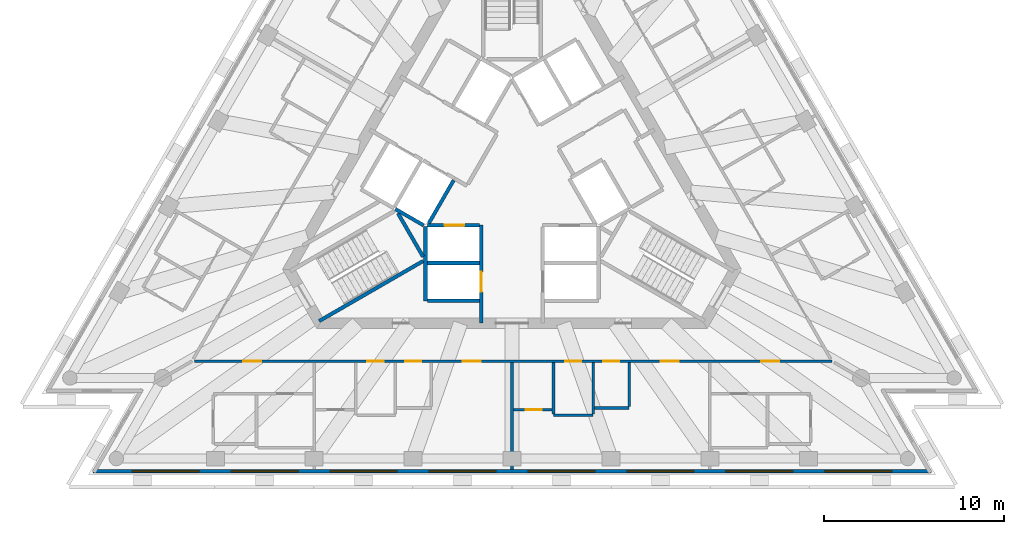
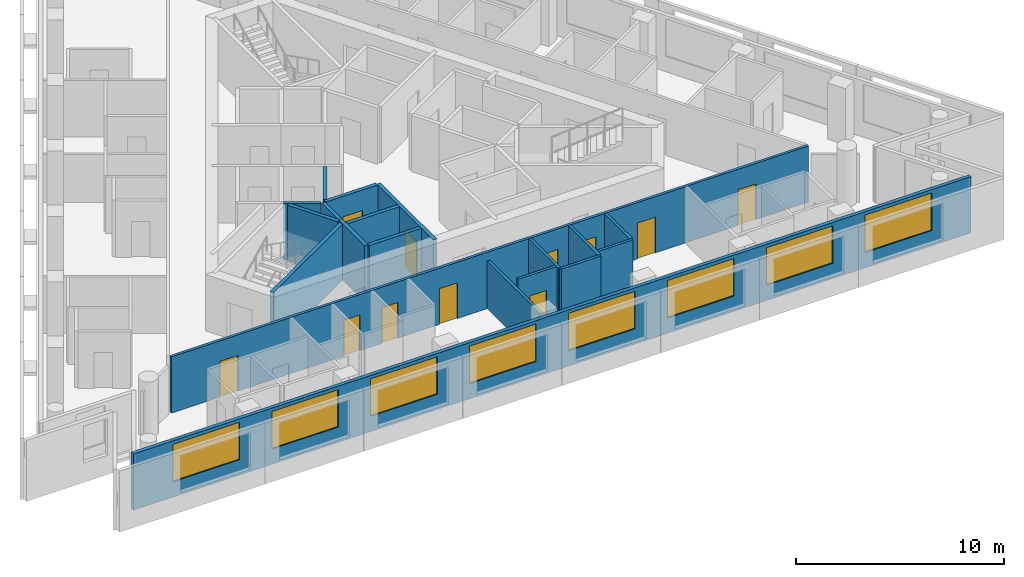
# One storey, part 3 of 9: 18 walls, 11 doors, 8 windows, 19 openings.
"""IFC4 building model written with IfcOpenShell, lengths in metres."""

from ifc_helpers import new_model, si_unit, direction, frame, frame_2d, origin, place, context, subcontext, project, spatial, rectangle, extrude, material, layer, layer_set, layer_usage, type_object, element, fill, save


model = new_model("IFC4")

# Units and contexts
model_context = context("Model", 3, precision=1e-05, world=origin(), true_north=direction((0.0, 1.0)))
body_context = subcontext(model_context, "Body", "Model", "MODEL_VIEW")
ifc_project = project(units=[si_unit("LENGTHUNIT", "METRE"), si_unit("AREAUNIT", "SQUARE_METRE"), si_unit("VOLUMEUNIT", "CUBIC_METRE"), si_unit("PLANEANGLEUNIT", "RADIAN"), si_unit("MASSUNIT", "GRAM", prefix="KILO")], contexts=[model_context])

# Site, building, storey
site_placement = place(None, origin())
site = spatial("IfcSite", under=ifc_project, at=site_placement, CompositionType="ELEMENT")
building_placement = place(site_placement, origin())
building = spatial("IfcBuilding", under=site, at=building_placement, Name="Triada Interchange Tower", CompositionType="ELEMENT")
storey_placement = place(building_placement, frame((0.0, 0.0, 282.699951171875)))
storey = spatial("IfcBuildingStorey", under=building, at=storey_placement, Name="L66", CompositionType="ELEMENT", Elevation=282.699951171875)

# Walls
ifc_material_1 = material(Name="Concrete C30/37", Category="concrete")
ifc_layer_1 = layer(ifc_material_1, 0.199951171875)
ifc_layer_set_1 = layer_set([ifc_layer_1], Name="CORE WALL 200 EI 120")
wall_type_1 = type_object("IfcWallType", Name="CORE WALL 200 EI 120", PredefinedType="SOLIDWALL", material=ifc_layer_set_1)
wall_1_placement = place(storey_placement, frame((-4.699951171875, -4.800048828125, 0.0), z_axis=(0.0, 0.0, 1.0), x_axis=(1.0, 0.0, 0.0)))
element("IfcWall", 1, at=wall_1_placement, inside=storey, type_object=wall_type_1, Name="Wall L65 72", PredefinedType="SOLIDWALL", context=body_context, shape_type="SweptSolid", body=[
    extrude(rectangle(XDim=2.89990234375, YDim=0.199951171875, at=frame_2d((1.449951171875, 0.0))), origin(), (0.0, 0.0, 1.0), 3.300048828125),
])
wall_2_placement = place(storey_placement, frame((-4.800048828125, -6.89990234375, 0.0), z_axis=(0.0, 0.0, 1.0), x_axis=(0.0, 1.0, 0.0)))
element("IfcWall", 2, at=wall_2_placement, inside=storey, type_object=wall_type_1, Name="Wall L65 74", PredefinedType="SOLIDWALL", context=body_context, shape_type="SweptSolid", body=[
    extrude(rectangle(XDim=4.130859375, YDim=0.199951171875, at=frame_2d((2.0654296875, 0.0))), origin(), (0.0, 0.0, 1.0), 3.300048828125),
])
wall_3_placement = place(storey_placement, frame((-4.699951171875, -6.89990234375, 0.0), z_axis=(0.0, 0.0, 1.0), x_axis=(1.0, 0.0, 0.0)))
element("IfcWall", 3, at=wall_3_placement, inside=storey, type_object=wall_type_1, Name="Wall L65 75", PredefinedType="SOLIDWALL", context=body_context, shape_type="SweptSolid", body=[
    extrude(rectangle(XDim=2.89990234375, YDim=0.199951171875, at=frame_2d((1.449951171875, 0.0))), origin(), (0.0, 0.0, 1.0), 3.300048828125),
])

# Wall, opening, door
wall_4_placement = place(storey_placement, frame((-1.699951171875, -8.1298828125, 0.0), z_axis=(0.0, 0.0, 1.0), x_axis=(0.0, 1.0, 0.0)))
wall_4 = element("IfcWall", 4, at=wall_4_placement, inside=storey, type_object=wall_type_1, Name="Wall L65 77", PredefinedType="SOLIDWALL", context=body_context, shape_type="SweptSolid", body=[
    extrude(rectangle(XDim=5.427001953125, YDim=0.199951171875, at=frame_2d((2.71337890625, 0.0))), origin(), (0.0, 0.0, 1.0), 3.300048828125),
])
opening_1_placement = place(wall_4_placement, frame((1.72998046875, 0.0, 0.0)))
opening_1 = element("IfcOpeningElement", 5, at=opening_1_placement, cuts=wall_4, Name="Opening LD-HR4", PredefinedType="OPENING", context=body_context, shape_type="SweptSolid", body=[
    extrude(rectangle(XDim=1.10009765625, YDim=2.10009765625, at=frame_2d((0.550048828125, 1.050048828125))), frame((0.0, 0.10986328125, 0.0), z_axis=(0.0, -1.0, 0.0), x_axis=(1.0, 0.0, 0.0)), (0.0, 0.0, 1.0), 0.219970703125),
])
ifc_material_2 = material(Name="Steel S235 door leaf", Category="steel")
door_type_1 = type_object("IfcDoorType", Name="LIFT LANDING DOOR 1100 EI 120", OperationType="SLIDING_TO_LEFT", PredefinedType="DOOR", material=ifc_material_2)
door_1_placement = place(opening_1_placement, origin())
door_1 = element("IfcDoor", 6, at=door_1_placement, inside=storey, type_object=door_type_1, Name="HR4 landing door L66", OperationType="SLIDING_TO_LEFT", OverallHeight=2.10009765625, OverallWidth=1.10009765625, PredefinedType="DOOR", context=body_context, shape_type="SweptSolid", body=[
    extrude(rectangle(XDim=1.10009765625, YDim=2.10009765625, at=frame_2d((0.550048828125, 1.050048828125))), frame((0.0, 0.02490234375, 0.0), z_axis=(0.0, -1.0, 0.0), x_axis=(1.0, 0.0, 0.0)), (0.0, 0.0, 1.0), 0.050048828125),
])
fill(opening_1, door_1)

wall_5_placement = place(storey_placement, frame((-4.676025390625, -2.699951171875, 0.0), z_axis=(0.0, 0.0, 1.0), x_axis=(1.0, 0.0, 0.0)))
wall_5 = element("IfcWall", 7, at=wall_5_placement, inside=storey, type_object=wall_type_1, Name="Wall L65 78", PredefinedType="SOLIDWALL", context=body_context, shape_type="SweptSolid", body=[
    extrude(rectangle(XDim=2.873046875, YDim=0.199951171875, at=frame_2d((1.4365234375, 0.0))), origin(), (0.0, 0.0, 1.0), 3.300048828125),
])
opening_2_placement = place(wall_5_placement, frame((0.93701171875, 0.0, 0.0)))
opening_2 = element("IfcOpeningElement", 8, at=opening_2_placement, cuts=wall_5, Name="Opening LD-HR3", PredefinedType="OPENING", context=body_context, shape_type="SweptSolid", body=[
    extrude(rectangle(XDim=1.10009765625, YDim=2.10009765625, at=frame_2d((0.550048828125, 1.050048828125))), frame((0.0, 0.10986328125, 0.0), z_axis=(0.0, -1.0, 0.0), x_axis=(1.0, 0.0, 0.0)), (0.0, 0.0, 1.0), 0.219970703125),
])
door_2_placement = place(opening_2_placement, origin())
door_2 = element("IfcDoor", 9, at=door_2_placement, inside=storey, type_object=door_type_1, Name="HR3 landing door L66", OperationType="SLIDING_TO_LEFT", OverallHeight=2.10009765625, OverallWidth=1.10009765625, PredefinedType="DOOR", context=body_context, shape_type="SweptSolid", body=[
    extrude(rectangle(XDim=1.10009765625, YDim=2.10009765625, at=frame_2d((0.550048828125, 1.050048828125))), frame((0.0, 0.02490234375, 0.0), z_axis=(0.0, -1.0, 0.0), x_axis=(1.0, 0.0, 0.0)), (0.0, 0.0, 1.0), 0.050048828125),
])
fill(opening_2, door_2)

# Walls
ifc_layer_2 = layer(ifc_material_1, 0.199951171875)
ifc_layer_set_2 = layer_set([ifc_layer_2], Name="CORE WALL 200 EI 180")
wall_type_2 = type_object("IfcWallType", Name="CORE WALL 200 EI 180", PredefinedType="SOLIDWALL", material=ifc_layer_set_2)
wall_6_placement = place(storey_placement, frame((-6.469970703125, -1.806884765625, 0.0), z_axis=(0.0, 0.0, 1.0), x_axis=(0.865883195159, -0.500246231712, 0.0)))
element("IfcWall", 10, at=wall_6_placement, inside=storey, type_object=wall_type_2, Name="Shaft wall FF1 L65 103", PredefinedType="SOLIDWALL", context=body_context, shape_type="SweptSolid", body=[
    extrude(rectangle(XDim=1.8154296875, YDim=0.199951171875, at=frame_2d((0.90771484375, 0.0))), origin(), (0.0, 0.0, 1.0), 3.300048828125),
])
wall_7_placement = place(storey_placement, frame((-4.618896484375, -2.60009765625, 0.0), z_axis=(0.0, 0.0, 1.0), x_axis=(0.50009492287, 0.865970593103, 0.0)))
element("IfcWall", 11, at=wall_7_placement, inside=storey, type_object=wall_type_2, Name="Shaft wall FF1 L65 105", PredefinedType="SOLIDWALL", context=body_context, shape_type="SweptSolid", body=[
    extrude(rectangle(XDim=2.76123046875, YDim=0.199951171875, at=frame_2d((1.380615234375, 0.0))), origin(), (0.0, 0.0, 1.0), 3.300048828125),
])
ifc_layer_3 = layer(ifc_material_1, 0.199951171875)
ifc_layer_set_3 = layer_set([ifc_layer_3], Name="CORE WALL 200 REI 240")
wall_type_3 = type_object("IfcWallType", Name="CORE WALL 200 REI 240", PredefinedType="SOLIDWALL", material=ifc_layer_set_3)
wall_8_placement = place(storey_placement, frame((-6.3291015625, -2.0380859375, 0.0), z_axis=(0.0, 0.0, 1.0), x_axis=(0.500200581029, -0.865909567298, 0.0)))
element("IfcWall", 12, at=wall_8_placement, inside=storey, type_object=wall_type_3, Name="Wall L65 116", PredefinedType="SOLIDWALL", context=body_context, shape_type="SweptSolid", body=[
    extrude(rectangle(XDim=2.799072265625, YDim=0.199951171875, at=frame_2d((1.3994140625, 0.0))), origin(), (0.0, 0.0, 1.0), 3.300048828125),
])
wall_9_placement = place(storey_placement, frame((-10.700927734375, -8.02587890625, 0.0), z_axis=(0.0, 0.0, 1.0), x_axis=(0.866005022404, 0.500035299925, 0.0)))
element("IfcWall", 13, at=wall_9_placement, inside=storey, type_object=wall_type_3, Name="Wall L65 117", PredefinedType="SOLIDWALL", context=body_context, shape_type="SweptSolid", body=[
    extrude(rectangle(XDim=6.6650390625, YDim=0.199951171875, at=frame_2d((3.33251953125, 0.0))), origin(), (0.0, 0.0, 1.0), 3.300048828125),
])

# Wall, openings, windows
ifc_material_3 = material(Name="Cement board")
ifc_layer_4 = layer(ifc_material_3, 0.02001953125, Name="Cement board cladding")
ifc_material_4 = material(Name="Sheathing board")
ifc_layer_5 = layer(ifc_material_4, 0.014892578125, Name="Sheathing board")
ifc_material_5 = material(Name="Mineral wool")
ifc_layer_6 = layer(ifc_material_5, 0.14990234375, Name="Mineral wool between steel studs")
ifc_material_6 = material(Name="Gypsum board")
ifc_layer_7 = layer(ifc_material_6, 0.014892578125, Name="Plasterboard lining")
ifc_layer_set_4 = layer_set([ifc_layer_4, ifc_layer_5, ifc_layer_6, ifc_layer_7], Name="External wall 200")
ifc_layer_usage = layer_usage(ifc_layer_set_4, "AXIS2", "POSITIVE", -0.10009765625)
wall_type_4 = type_object("IfcWallType", Name="External wall 200", PredefinedType="ELEMENTEDWALL", material=ifc_layer_set_4)
wall_10_placement = place(storey_placement, frame((-23.2548828125, -16.35400390625, 0.0), z_axis=(0.0, 0.0, 1.0), x_axis=(1.0, 0.0, 0.0)))
wall_10 = element("IfcWall", 14, at=wall_10_placement, inside=storey, type_object=wall_type_4, material=ifc_layer_usage, Name="External wall L66 S", PredefinedType="ELEMENTEDWALL", context=body_context, shape_type="SweptSolid", body=[
    extrude(rectangle(XDim=46.489990234375, YDim=0.199951171875, at=frame_2d((23.2451171875, 0.0))), origin(), (0.0, 0.0, 1.0), 3.300048828125),
])
opening_3_placement = place(wall_10_placement, frame((2.197021484375, 0.0, 0.89990234375)))
opening_3 = element("IfcOpeningElement", 15, at=opening_3_placement, cuts=wall_10, Name="Opening WD11", PredefinedType="OPENING", context=body_context, shape_type="SweptSolid", body=[
    extrude(rectangle(XDim=3.699951171875, YDim=2.199951171875, at=frame_2d((1.85009765625, 1.10009765625))), frame((0.0, 0.10986328125, 0.0), z_axis=(0.0, -1.0, 0.0), x_axis=(1.0, 0.0, 0.0)), (0.0, 0.0, 1.0), 0.219970703125),
])
opening_4_placement = place(wall_10_placement, frame((7.68505859375, 0.0, 0.89990234375)))
opening_4 = element("IfcOpeningElement", 16, at=opening_4_placement, cuts=wall_10, Name="Opening WD12", PredefinedType="OPENING", context=body_context, shape_type="SweptSolid", body=[
    extrude(rectangle(XDim=3.699951171875, YDim=2.199951171875, at=frame_2d((1.85009765625, 1.10009765625))), frame((0.0, 0.10986328125, 0.0), z_axis=(0.0, -1.0, 0.0), x_axis=(1.0, 0.0, 0.0)), (0.0, 0.0, 1.0), 0.219970703125),
])
opening_5_placement = place(wall_10_placement, frame((13.173095703125, 0.0, 0.89990234375)))
opening_5 = element("IfcOpeningElement", 17, at=opening_5_placement, cuts=wall_10, Name="Opening WD13", PredefinedType="OPENING", context=body_context, shape_type="SweptSolid", body=[
    extrude(rectangle(XDim=3.699951171875, YDim=2.199951171875, at=frame_2d((1.85009765625, 1.10009765625))), frame((0.0, 0.10986328125, 0.0), z_axis=(0.0, -1.0, 0.0), x_axis=(1.0, 0.0, 0.0)), (0.0, 0.0, 1.0), 0.219970703125),
])
opening_6_placement = place(wall_10_placement, frame((18.660888671875, 0.0, 0.89990234375)))
opening_6 = element("IfcOpeningElement", 18, at=opening_6_placement, cuts=wall_10, Name="Opening WD14", PredefinedType="OPENING", context=body_context, shape_type="SweptSolid", body=[
    extrude(rectangle(XDim=3.699951171875, YDim=2.199951171875, at=frame_2d((1.85009765625, 1.10009765625))), frame((0.0, 0.10986328125, 0.0), z_axis=(0.0, -1.0, 0.0), x_axis=(1.0, 0.0, 0.0)), (0.0, 0.0, 1.0), 0.219970703125),
])
opening_7_placement = place(wall_10_placement, frame((24.14892578125, 0.0, 0.89990234375)))
opening_7 = element("IfcOpeningElement", 19, at=opening_7_placement, cuts=wall_10, Name="Opening WD15", PredefinedType="OPENING", context=body_context, shape_type="SweptSolid", body=[
    extrude(rectangle(XDim=3.699951171875, YDim=2.199951171875, at=frame_2d((1.85009765625, 1.10009765625))), frame((0.0, 0.10986328125, 0.0), z_axis=(0.0, -1.0, 0.0), x_axis=(1.0, 0.0, 0.0)), (0.0, 0.0, 1.0), 0.219970703125),
])
opening_8_placement = place(wall_10_placement, frame((29.636962890625, 0.0, 0.89990234375)))
opening_8 = element("IfcOpeningElement", 20, at=opening_8_placement, cuts=wall_10, Name="Opening WD16", PredefinedType="OPENING", context=body_context, shape_type="SweptSolid", body=[
    extrude(rectangle(XDim=3.699951171875, YDim=2.199951171875, at=frame_2d((1.85009765625, 1.10009765625))), frame((0.0, 0.10986328125, 0.0), z_axis=(0.0, -1.0, 0.0), x_axis=(1.0, 0.0, 0.0)), (0.0, 0.0, 1.0), 0.219970703125),
])
opening_9_placement = place(wall_10_placement, frame((35.125, 0.0, 0.89990234375)))
opening_9 = element("IfcOpeningElement", 21, at=opening_9_placement, cuts=wall_10, Name="Opening WD17", PredefinedType="OPENING", context=body_context, shape_type="SweptSolid", body=[
    extrude(rectangle(XDim=3.699951171875, YDim=2.199951171875, at=frame_2d((1.85009765625, 1.10009765625))), frame((0.0, 0.10986328125, 0.0), z_axis=(0.0, -1.0, 0.0), x_axis=(1.0, 0.0, 0.0)), (0.0, 0.0, 1.0), 0.219970703125),
])
opening_10_placement = place(wall_10_placement, frame((40.613037109375, 0.0, 0.89990234375)))
opening_10 = element("IfcOpeningElement", 22, at=opening_10_placement, cuts=wall_10, Name="Opening WD18", PredefinedType="OPENING", context=body_context, shape_type="SweptSolid", body=[
    extrude(rectangle(XDim=3.699951171875, YDim=2.199951171875, at=frame_2d((1.85009765625, 1.10009765625))), frame((0.0, 0.10986328125, 0.0), z_axis=(0.0, -1.0, 0.0), x_axis=(1.0, 0.0, 0.0)), (0.0, 0.0, 1.0), 0.219970703125),
])
ifc_material_7 = material(Name="Double glazed aluminium window", Category="aluminium")
window_type = type_object("IfcWindowType", Name="Ribbon window D face", PartitioningType="SINGLE_PANEL", PredefinedType="WINDOW", material=ifc_material_7)
window_1_placement = place(opening_3_placement, origin())
window_1 = element("IfcWindow", 23, at=window_1_placement, inside=storey, type_object=window_type, Name="Window L66 S 1", OverallHeight=2.199951171875, OverallWidth=3.699951171875, PartitioningType="SINGLE_PANEL", PredefinedType="WINDOW", context=body_context, shape_type="SweptSolid", body=[
    extrude(rectangle(XDim=3.699951171875, YDim=2.199951171875, at=frame_2d((1.85009765625, 1.10009765625))), frame((0.0, 0.030029296875, 0.0), z_axis=(0.0, -1.0, 0.0), x_axis=(1.0, 0.0, 0.0)), (0.0, 0.0, 1.0), 0.06005859375),
])
fill(opening_3, window_1)
window_2_placement = place(opening_4_placement, origin())
window_2 = element("IfcWindow", 24, at=window_2_placement, inside=storey, type_object=window_type, Name="Window L66 S 2", OverallHeight=2.199951171875, OverallWidth=3.699951171875, PartitioningType="SINGLE_PANEL", PredefinedType="WINDOW", context=body_context, shape_type="SweptSolid", body=[
    extrude(rectangle(XDim=3.699951171875, YDim=2.199951171875, at=frame_2d((1.85009765625, 1.10009765625))), frame((0.0, 0.030029296875, 0.0), z_axis=(0.0, -1.0, 0.0), x_axis=(1.0, 0.0, 0.0)), (0.0, 0.0, 1.0), 0.06005859375),
])
fill(opening_4, window_2)
window_3_placement = place(opening_5_placement, origin())
window_3 = element("IfcWindow", 25, at=window_3_placement, inside=storey, type_object=window_type, Name="Window L66 S 3", OverallHeight=2.199951171875, OverallWidth=3.699951171875, PartitioningType="SINGLE_PANEL", PredefinedType="WINDOW", context=body_context, shape_type="SweptSolid", body=[
    extrude(rectangle(XDim=3.699951171875, YDim=2.199951171875, at=frame_2d((1.85009765625, 1.10009765625))), frame((0.0, 0.030029296875, 0.0), z_axis=(0.0, -1.0, 0.0), x_axis=(1.0, 0.0, 0.0)), (0.0, 0.0, 1.0), 0.06005859375),
])
fill(opening_5, window_3)
window_4_placement = place(opening_6_placement, origin())
window_4 = element("IfcWindow", 26, at=window_4_placement, inside=storey, type_object=window_type, Name="Window L66 S 4", OverallHeight=2.199951171875, OverallWidth=3.699951171875, PartitioningType="SINGLE_PANEL", PredefinedType="WINDOW", context=body_context, shape_type="SweptSolid", body=[
    extrude(rectangle(XDim=3.699951171875, YDim=2.199951171875, at=frame_2d((1.85009765625, 1.10009765625))), frame((0.0, 0.030029296875, 0.0), z_axis=(0.0, -1.0, 0.0), x_axis=(1.0, 0.0, 0.0)), (0.0, 0.0, 1.0), 0.06005859375),
])
fill(opening_6, window_4)
window_5_placement = place(opening_7_placement, origin())
window_5 = element("IfcWindow", 27, at=window_5_placement, inside=storey, type_object=window_type, Name="Window L66 S 5", OverallHeight=2.199951171875, OverallWidth=3.699951171875, PartitioningType="SINGLE_PANEL", PredefinedType="WINDOW", context=body_context, shape_type="SweptSolid", body=[
    extrude(rectangle(XDim=3.699951171875, YDim=2.199951171875, at=frame_2d((1.85009765625, 1.10009765625))), frame((0.0, 0.030029296875, 0.0), z_axis=(0.0, -1.0, 0.0), x_axis=(1.0, 0.0, 0.0)), (0.0, 0.0, 1.0), 0.06005859375),
])
fill(opening_7, window_5)
window_6_placement = place(opening_8_placement, origin())
window_6 = element("IfcWindow", 28, at=window_6_placement, inside=storey, type_object=window_type, Name="Window L66 S 6", OverallHeight=2.199951171875, OverallWidth=3.699951171875, PartitioningType="SINGLE_PANEL", PredefinedType="WINDOW", context=body_context, shape_type="SweptSolid", body=[
    extrude(rectangle(XDim=3.699951171875, YDim=2.199951171875, at=frame_2d((1.85009765625, 1.10009765625))), frame((0.0, 0.030029296875, 0.0), z_axis=(0.0, -1.0, 0.0), x_axis=(1.0, 0.0, 0.0)), (0.0, 0.0, 1.0), 0.06005859375),
])
fill(opening_8, window_6)
window_7_placement = place(opening_9_placement, origin())
window_7 = element("IfcWindow", 29, at=window_7_placement, inside=storey, type_object=window_type, Name="Window L66 S 7", OverallHeight=2.199951171875, OverallWidth=3.699951171875, PartitioningType="SINGLE_PANEL", PredefinedType="WINDOW", context=body_context, shape_type="SweptSolid", body=[
    extrude(rectangle(XDim=3.699951171875, YDim=2.199951171875, at=frame_2d((1.85009765625, 1.10009765625))), frame((0.0, 0.030029296875, 0.0), z_axis=(0.0, -1.0, 0.0), x_axis=(1.0, 0.0, 0.0)), (0.0, 0.0, 1.0), 0.06005859375),
])
fill(opening_9, window_7)
window_8_placement = place(opening_10_placement, origin())
window_8 = element("IfcWindow", 30, at=window_8_placement, inside=storey, type_object=window_type, Name="Window L66 S 8", OverallHeight=2.199951171875, OverallWidth=3.699951171875, PartitioningType="SINGLE_PANEL", PredefinedType="WINDOW", context=body_context, shape_type="SweptSolid", body=[
    extrude(rectangle(XDim=3.699951171875, YDim=2.199951171875, at=frame_2d((1.85009765625, 1.10009765625))), frame((0.0, 0.030029296875, 0.0), z_axis=(0.0, -1.0, 0.0), x_axis=(1.0, 0.0, 0.0)), (0.0, 0.0, 1.0), 0.06005859375),
])
fill(opening_10, window_8)

# Wall, openings, doors
ifc_material_8 = material(Name="Gypsum board partition")
ifc_layer_8 = layer(ifc_material_8, 0.14990234375)
ifc_layer_set_5 = layer_set([ifc_layer_8], Name="PARTITION 150 EI 180")
wall_type_5 = type_object("IfcWallType", Name="PARTITION 150 EI 180", PredefinedType="PARTITIONING", material=ifc_layer_set_5)
wall_11_placement = place(storey_placement, frame((-17.60400390625, -10.25, 0.0), z_axis=(0.0, 0.0, 1.0), x_axis=(1.0, 0.0, 0.0)))
wall_11 = element("IfcWall", 31, at=wall_11_placement, inside=storey, type_object=wall_type_5, Name="Wall L65 5", PredefinedType="PARTITIONING", context=body_context, shape_type="SweptSolid", body=[
    extrude(rectangle(XDim=35.35791015625, YDim=0.14990234375, at=frame_2d((17.678955078125, 0.0))), origin(), (0.0, 0.0, 1.0), 3.300048828125),
])
opening_11_placement = place(wall_11_placement, frame((2.699951171875, 0.0, 0.0)))
opening_11 = element("IfcOpeningElement", 32, at=opening_11_placement, cuts=wall_11, Name="Opening D65-11", PredefinedType="OPENING", context=body_context, shape_type="SweptSolid", body=[
    extrude(rectangle(XDim=1.0, YDim=2.10009765625, at=frame_2d((0.5, 1.050048828125))), frame((0.0, 0.0849609375, 0.0), z_axis=(0.0, -1.0, 0.0), x_axis=(1.0, 0.0, 0.0)), (0.0, 0.0, 1.0), 0.169921875),
])
opening_12_placement = place(wall_11_placement, frame((14.8779296875, 0.0, 0.0)))
opening_12 = element("IfcOpeningElement", 33, at=opening_12_placement, cuts=wall_11, Name="Opening D65-14", PredefinedType="OPENING", context=body_context, shape_type="SweptSolid", body=[
    extrude(rectangle(XDim=1.0, YDim=2.10009765625, at=frame_2d((0.5, 1.050048828125))), frame((0.0, 0.0849609375, 0.0), z_axis=(0.0, -1.0, 0.0), x_axis=(1.0, 0.0, 0.0)), (0.0, 0.0, 1.0), 0.169921875),
])
opening_13_placement = place(wall_11_placement, frame((9.577880859375, 0.0, 0.0)))
opening_13 = element("IfcOpeningElement", 34, at=opening_13_placement, cuts=wall_11, Name="Opening D65-16", PredefinedType="OPENING", context=body_context, shape_type="SweptSolid", body=[
    extrude(rectangle(XDim=0.89990234375, YDim=2.10009765625, at=frame_2d((0.449951171875, 1.050048828125))), frame((0.0, 0.0849609375, 0.0), z_axis=(0.0, -1.0, 0.0), x_axis=(1.0, 0.0, 0.0)), (0.0, 0.0, 1.0), 0.169921875),
])
opening_14_placement = place(wall_11_placement, frame((11.677978515625, 0.0, 0.0)))
opening_14 = element("IfcOpeningElement", 35, at=opening_14_placement, cuts=wall_11, Name="Opening D65-17", PredefinedType="OPENING", context=body_context, shape_type="SweptSolid", body=[
    extrude(rectangle(XDim=0.89990234375, YDim=2.10009765625, at=frame_2d((0.449951171875, 1.050048828125))), frame((0.0, 0.0849609375, 0.0), z_axis=(0.0, -1.0, 0.0), x_axis=(1.0, 0.0, 0.0)), (0.0, 0.0, 1.0), 0.169921875),
])
opening_15_placement = place(wall_11_placement, frame((25.85400390625, 0.0, 0.0)))
opening_15 = element("IfcOpeningElement", 36, at=opening_15_placement, cuts=wall_11, Name="Opening D65-18", PredefinedType="OPENING", context=body_context, shape_type="SweptSolid", body=[
    extrude(rectangle(XDim=1.0, YDim=2.10009765625, at=frame_2d((0.5, 1.050048828125))), frame((0.0, 0.0849609375, 0.0), z_axis=(0.0, -1.0, 0.0), x_axis=(1.0, 0.0, 0.0)), (0.0, 0.0, 1.0), 0.169921875),
])
opening_16_placement = place(wall_11_placement, frame((20.553955078125, 0.0, 0.0)))
opening_16 = element("IfcOpeningElement", 37, at=opening_16_placement, cuts=wall_11, Name="Opening D65-20", PredefinedType="OPENING", context=body_context, shape_type="SweptSolid", body=[
    extrude(rectangle(XDim=0.89990234375, YDim=2.10009765625, at=frame_2d((0.449951171875, 1.050048828125))), frame((0.0, 0.0849609375, 0.0), z_axis=(0.0, -1.0, 0.0), x_axis=(1.0, 0.0, 0.0)), (0.0, 0.0, 1.0), 0.169921875),
])
opening_17_placement = place(wall_11_placement, frame((22.654052734375, 0.0, 0.0)))
opening_17 = element("IfcOpeningElement", 38, at=opening_17_placement, cuts=wall_11, Name="Opening D65-21", PredefinedType="OPENING", context=body_context, shape_type="SweptSolid", body=[
    extrude(rectangle(XDim=0.89990234375, YDim=2.10009765625, at=frame_2d((0.449951171875, 1.050048828125))), frame((0.0, 0.0849609375, 0.0), z_axis=(0.0, -1.0, 0.0), x_axis=(1.0, 0.0, 0.0)), (0.0, 0.0, 1.0), 0.169921875),
])
opening_18_placement = place(wall_11_placement, frame((31.429931640625, 0.0, 0.0)))
opening_18 = element("IfcOpeningElement", 39, at=opening_18_placement, cuts=wall_11, Name="Opening D65-22", PredefinedType="OPENING", context=body_context, shape_type="SweptSolid", body=[
    extrude(rectangle(XDim=1.0, YDim=2.10009765625, at=frame_2d((0.5, 1.050048828125))), frame((0.0, 0.0849609375, 0.0), z_axis=(0.0, -1.0, 0.0), x_axis=(1.0, 0.0, 0.0)), (0.0, 0.0, 1.0), 0.169921875),
])
door_type_2 = type_object("IfcDoorType", Name="GUEST ROOM DOOR 1000 EI2 90-C5S200", OperationType="NOTDEFINED", PredefinedType="DOOR", material=ifc_material_2)
door_3_placement = place(opening_11_placement, origin())
door_3 = element("IfcDoor", 40, at=door_3_placement, inside=storey, type_object=door_type_2, Name="Door D65-11 L66", OperationType="SINGLE_SWING_RIGHT", OverallHeight=2.10009765625, OverallWidth=1.0, PredefinedType="DOOR", context=body_context, shape_type="SweptSolid", body=[
    extrude(rectangle(XDim=1.0, YDim=2.10009765625, at=frame_2d((0.5, 1.050048828125))), frame((0.0, 0.02490234375, 0.0), z_axis=(0.0, -1.0, 0.0), x_axis=(1.0, 0.0, 0.0)), (0.0, 0.0, 1.0), 0.050048828125),
])
fill(opening_11, door_3)
door_4_placement = place(opening_12_placement, origin())
door_4 = element("IfcDoor", 41, at=door_4_placement, inside=storey, type_object=door_type_2, Name="Door D65-14 L66", OperationType="SINGLE_SWING_RIGHT", OverallHeight=2.10009765625, OverallWidth=1.0, PredefinedType="DOOR", context=body_context, shape_type="SweptSolid", body=[
    extrude(rectangle(XDim=1.0, YDim=2.10009765625, at=frame_2d((0.5, 1.050048828125))), frame((0.0, 0.02490234375, 0.0), z_axis=(0.0, -1.0, 0.0), x_axis=(1.0, 0.0, 0.0)), (0.0, 0.0, 1.0), 0.050048828125),
])
fill(opening_12, door_4)
door_5_placement = place(opening_15_placement, origin())
door_5 = element("IfcDoor", 42, at=door_5_placement, inside=storey, type_object=door_type_2, Name="Door D65-18 L66", OperationType="SINGLE_SWING_RIGHT", OverallHeight=2.10009765625, OverallWidth=1.0, PredefinedType="DOOR", context=body_context, shape_type="SweptSolid", body=[
    extrude(rectangle(XDim=1.0, YDim=2.10009765625, at=frame_2d((0.5, 1.050048828125))), frame((0.0, 0.02490234375, 0.0), z_axis=(0.0, -1.0, 0.0), x_axis=(1.0, 0.0, 0.0)), (0.0, 0.0, 1.0), 0.050048828125),
])
fill(opening_15, door_5)
door_6_placement = place(opening_18_placement, origin())
door_6 = element("IfcDoor", 43, at=door_6_placement, inside=storey, type_object=door_type_2, Name="Door D65-22 L66", OperationType="SINGLE_SWING_LEFT", OverallHeight=2.10009765625, OverallWidth=1.0, PredefinedType="DOOR", context=body_context, shape_type="SweptSolid", body=[
    extrude(rectangle(XDim=1.0, YDim=2.10009765625, at=frame_2d((0.5, 1.050048828125))), frame((0.0, 0.02490234375, 0.0), z_axis=(0.0, -1.0, 0.0), x_axis=(1.0, 0.0, 0.0)), (0.0, 0.0, 1.0), 0.050048828125),
])
fill(opening_18, door_6)
door_type_3 = type_object("IfcDoorType", Name="ROOM DOOR 900 EI2 90-C5S200", OperationType="NOTDEFINED", PredefinedType="DOOR", material=ifc_material_2)
door_7_placement = place(opening_14_placement, origin())
door_7 = element("IfcDoor", 44, at=door_7_placement, inside=storey, type_object=door_type_3, Name="Door D65-17 L66", OperationType="SINGLE_SWING_LEFT", OverallHeight=2.10009765625, OverallWidth=0.89990234375, PredefinedType="DOOR", context=body_context, shape_type="SweptSolid", body=[
    extrude(rectangle(XDim=0.89990234375, YDim=2.10009765625, at=frame_2d((0.449951171875, 1.050048828125))), frame((0.0, 0.02490234375, 0.0), z_axis=(0.0, -1.0, 0.0), x_axis=(1.0, 0.0, 0.0)), (0.0, 0.0, 1.0), 0.050048828125),
])
fill(opening_14, door_7)
door_8_placement = place(opening_17_placement, origin())
door_8 = element("IfcDoor", 45, at=door_8_placement, inside=storey, type_object=door_type_3, Name="Door D65-21 L66", OperationType="SINGLE_SWING_RIGHT", OverallHeight=2.10009765625, OverallWidth=0.89990234375, PredefinedType="DOOR", context=body_context, shape_type="SweptSolid", body=[
    extrude(rectangle(XDim=0.89990234375, YDim=2.10009765625, at=frame_2d((0.449951171875, 1.050048828125))), frame((0.0, 0.02490234375, 0.0), z_axis=(0.0, -1.0, 0.0), x_axis=(1.0, 0.0, 0.0)), (0.0, 0.0, 1.0), 0.050048828125),
])
fill(opening_17, door_8)
door_type_4 = type_object("IfcDoorType", Name="SERVICE DOOR 900 EI2 90-C5S200", OperationType="NOTDEFINED", PredefinedType="DOOR", material=ifc_material_2)
door_9_placement = place(opening_13_placement, origin())
door_9 = element("IfcDoor", 46, at=door_9_placement, inside=storey, type_object=door_type_4, Name="Door D65-16 L66", OperationType="SINGLE_SWING_RIGHT", OverallHeight=2.10009765625, OverallWidth=0.89990234375, PredefinedType="DOOR", context=body_context, shape_type="SweptSolid", body=[
    extrude(rectangle(XDim=0.89990234375, YDim=2.10009765625, at=frame_2d((0.449951171875, 1.050048828125))), frame((0.0, 0.02490234375, 0.0), z_axis=(0.0, -1.0, 0.0), x_axis=(1.0, 0.0, 0.0)), (0.0, 0.0, 1.0), 0.050048828125),
])
fill(opening_13, door_9)
door_10_placement = place(opening_16_placement, origin())
door_10 = element("IfcDoor", 47, at=door_10_placement, inside=storey, type_object=door_type_4, Name="Door D65-20 L66", OperationType="SINGLE_SWING_RIGHT", OverallHeight=2.10009765625, OverallWidth=0.89990234375, PredefinedType="DOOR", context=body_context, shape_type="SweptSolid", body=[
    extrude(rectangle(XDim=0.89990234375, YDim=2.10009765625, at=frame_2d((0.449951171875, 1.050048828125))), frame((0.0, 0.02490234375, 0.0), z_axis=(0.0, -1.0, 0.0), x_axis=(1.0, 0.0, 0.0)), (0.0, 0.0, 1.0), 0.050048828125),
])
fill(opening_16, door_10)

# Walls
wall_12_placement = place(storey_placement, frame((2.300048828125, -13.25, 0.0), z_axis=(0.0, 0.0, 1.0), x_axis=(1.0, 0.0, 0.0)))
element("IfcWall", 48, at=wall_12_placement, inside=storey, type_object=wall_type_5, Name="Wall L65 12", PredefinedType="PARTITIONING", context=body_context, shape_type="SweptSolid", body=[
    extrude(rectangle(XDim=2.199951171875, YDim=0.14990234375, at=frame_2d((1.10009765625, 0.0))), origin(), (0.0, 0.0, 1.0), 3.300048828125),
])
wall_13_placement = place(storey_placement, frame((4.574951171875, -12.85009765625, 0.0), z_axis=(0.0, 0.0, 1.0), x_axis=(1.0, 0.0, 0.0)))
element("IfcWall", 49, at=wall_13_placement, inside=storey, type_object=wall_type_5, Name="Wall L65 15", PredefinedType="PARTITIONING", context=body_context, shape_type="SweptSolid", body=[
    extrude(rectangle(XDim=1.925048828125, YDim=0.14990234375, at=frame_2d((0.96240234375, 0.0))), origin(), (0.0, 0.0, 1.0), 3.300048828125),
])
wall_14_placement = place(storey_placement, frame((0.0, -16.27392578125, 0.0), z_axis=(0.0, 0.0, 1.0), x_axis=(0.0, 1.0, 0.0)))
element("IfcWall", 50, at=wall_14_placement, inside=storey, type_object=wall_type_5, Name="Wall L65 17", PredefinedType="PARTITIONING", context=body_context, shape_type="SweptSolid", body=[
    extrude(rectangle(XDim=5.948974609375, YDim=0.14990234375, at=frame_2d((2.974609375, 0.0))), origin(), (0.0, 0.0, 1.0), 2.800048828125),
])
for number, where, z_axis, x_axis, name in (
    (51, (2.300048828125, -13.175048828125, 0.0), (0.0, 0.0, 1.0), (0.0, 1.0, 0.0), "Wall L65 20"),
    (52, (4.5, -13.175048828125, 0.0), (0.0, 0.0, 1.0), (0.0, 1.0, 0.0), "Wall L65 21"),
):
    element("IfcWall", number, at=place(storey_placement, frame(where, z_axis=z_axis, x_axis=x_axis)), inside=storey, type_object=wall_type_5, Name=name, PredefinedType="PARTITIONING", context=body_context, shape_type="SweptSolid", body=[
        extrude(rectangle(XDim=2.85009765625, YDim=0.14990234375, at=frame_2d((1.425048828125, 0.0))), origin(), (0.0, 0.0, 1.0), 3.300048828125),
    ])
wall_15_placement = place(storey_placement, frame((6.5, -12.77490234375, 0.0), z_axis=(0.0, 0.0, 1.0), x_axis=(0.0, 1.0, 0.0)))
element("IfcWall", 53, at=wall_15_placement, inside=storey, type_object=wall_type_5, Name="Wall L65 23", PredefinedType="PARTITIONING", context=body_context, shape_type="SweptSolid", body=[
    extrude(rectangle(XDim=2.449951171875, YDim=0.14990234375, at=frame_2d((1.22509765625, 0.0))), origin(), (0.0, 0.0, 1.0), 3.300048828125),
])

# Wall, opening, door
ifc_layer_9 = layer(ifc_material_8, 0.14990234375)
ifc_layer_set_6 = layer_set([ifc_layer_9], Name="PARTITION 150 EI 90")
wall_type_6 = type_object("IfcWallType", Name="PARTITION 150 EI 90", PredefinedType="PARTITIONING", material=ifc_layer_set_6)
wall_16_placement = place(storey_placement, frame((0.074951171875, -12.949951171875, 0.0), z_axis=(0.0, 0.0, 1.0), x_axis=(1.0, 0.0, 0.0)))
wall_16 = element("IfcWall", 54, at=wall_16_placement, inside=storey, type_object=wall_type_6, Name="Wall L65 52", PredefinedType="PARTITIONING", context=body_context, shape_type="SweptSolid", body=[
    extrude(rectangle(XDim=2.150146484375, YDim=0.14990234375, at=frame_2d((1.0751953125, 0.0))), origin(), (0.0, 0.0, 1.0), 3.300048828125),
])
opening_19_placement = place(wall_16_placement, frame((0.675048828125, 0.0, 0.0)))
opening_19 = element("IfcOpeningElement", 55, at=opening_19_placement, cuts=wall_16, Name="Opening D65-19", PredefinedType="OPENING", context=body_context, shape_type="SweptSolid", body=[
    extrude(rectangle(XDim=0.89990234375, YDim=2.10009765625, at=frame_2d((0.449951171875, 1.050048828125))), frame((0.0, 0.0849609375, 0.0), z_axis=(0.0, -1.0, 0.0), x_axis=(1.0, 0.0, 0.0)), (0.0, 0.0, 1.0), 0.169921875),
])
door_type_5 = type_object("IfcDoorType", Name="ROOM DOOR 900 EI2 45-C5S200", OperationType="NOTDEFINED", PredefinedType="DOOR", material=ifc_material_2)
door_11_placement = place(opening_19_placement, origin())
door_11 = element("IfcDoor", 56, at=door_11_placement, inside=storey, type_object=door_type_5, Name="Door D65-19 L66", OperationType="SINGLE_SWING_LEFT", OverallHeight=2.10009765625, OverallWidth=0.89990234375, PredefinedType="DOOR", context=body_context, shape_type="SweptSolid", body=[
    extrude(rectangle(XDim=0.89990234375, YDim=2.10009765625, at=frame_2d((0.449951171875, 1.050048828125))), frame((0.0, 0.02490234375, 0.0), z_axis=(0.0, -1.0, 0.0), x_axis=(1.0, 0.0, 0.0)), (0.0, 0.0, 1.0), 0.050048828125),
])
fill(opening_19, door_11)

save(model, "model.ifc")
